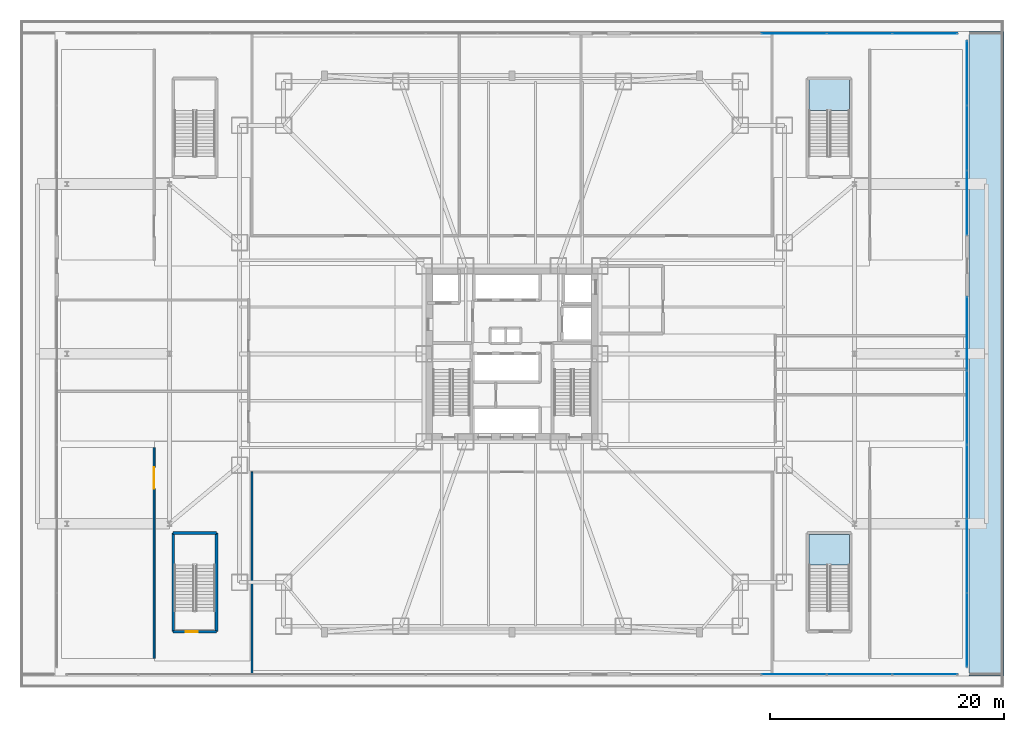
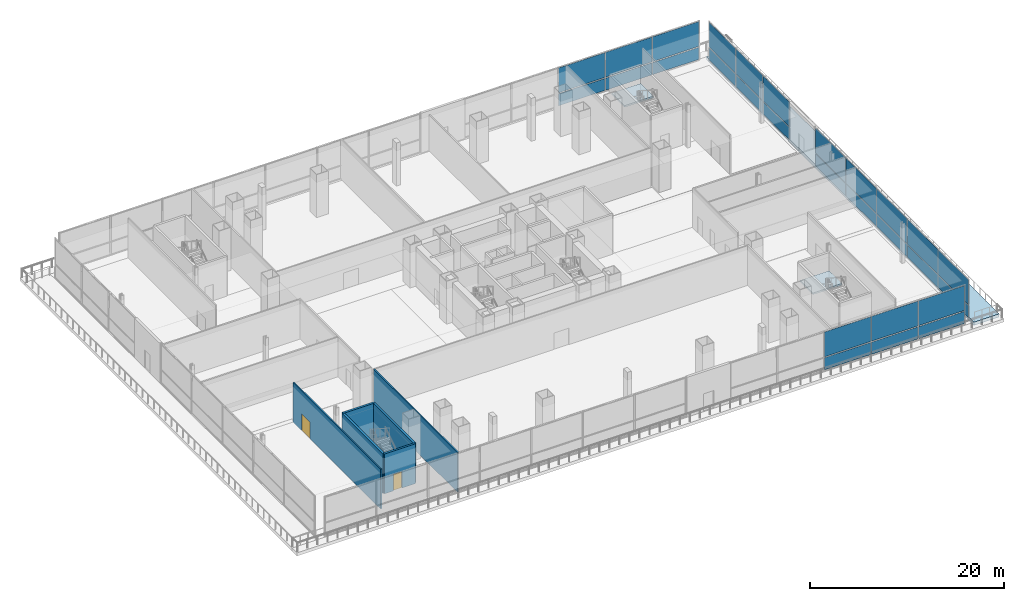
# One storey, part 20 of 36: 28 plates, 6 walls, 3 slabs, 2 doors, 2 openings, 6 elements without a shape of their own.
"""IFC4 building model written with IfcOpenShell, lengths in metres."""

from ifc_helpers import new_model, si_unit, direction, frame, frame_2d, origin, origin_2d, place, context, subcontext, project, spatial, polyline, rectangle, outline, extrude, material, layer, layer_set, type_object, element, fill, aggregate, save


model = new_model("IFC4")

# Units and contexts
model_context = context("Model", 3, precision=1e-05, world=origin(), true_north=direction((0.0, 1.0)))
body_context = subcontext(model_context, "Body", "Model", "MODEL_VIEW")
ifc_project = project(units=[si_unit("LENGTHUNIT", "METRE"), si_unit("AREAUNIT", "SQUARE_METRE"), si_unit("VOLUMEUNIT", "CUBIC_METRE"), si_unit("PLANEANGLEUNIT", "RADIAN"), si_unit("MASSUNIT", "GRAM", prefix="KILO")], contexts=[model_context])

# Site, building, storey
site_placement = place(None, origin())
site = spatial("IfcSite", under=ifc_project, at=site_placement, CompositionType="ELEMENT")
building_placement = place(site_placement, origin())
building = spatial("IfcBuilding", under=site, at=building_placement, Name="Trevonay Congress Spire", CompositionType="ELEMENT")
storey_placement = place(building_placement, frame((0.0, 0.0, 5.39990234375)))
storey = spatial("IfcBuildingStorey", under=building, at=storey_placement, Name="L01", CompositionType="ELEMENT", Elevation=5.39990234375)

# Curtain wall, plates
ifc_material_1 = material(Name="Pale Anodised Aluminium EN AW-6063-T6", Category="aluminium")
ifc_layer_1 = layer(ifc_material_1, 0.179931640625, Name="Pale Anodised Aluminium EN AW-6063-T6")
ifc_layer_set_1 = layer_set([ifc_layer_1], Name="Pale Anodised Aluminium EN AW-6063-T6")
curtain_wall_type = type_object("IfcCurtainWallType", Name="CW-SYS01-PODIUM-PALE-METAL", PredefinedType="NOTDEFINED", material=ifc_layer_set_1)
curtain_wall_1_placement = place(storey_placement, origin())
curtain_wall_1 = element("IfcCurtainWall", 1, at=curtain_wall_1_placement, inside=storey, type_object=curtain_wall_type, Name="L01 E1 podium curtain wall", PredefinedType="NOTDEFINED")
ifc_material_2 = material(Name="Insulated Low-E Vision Glass IGU", Category="glass")
ifc_layer_2 = layer(ifc_material_2, 0.035888671875, Name="Insulated Low-E Vision Glass IGU")
ifc_layer_set_2 = layer_set([ifc_layer_2], Name="Insulated Low-E Vision Glass IGU")
plate_type = type_object("IfcPlateType", Name="CW-PANEL-IGU36-SILVER", PredefinedType="CURTAIN_PANEL", material=ifc_layer_set_2)
plate_1_placement = place(storey_placement, frame((38.85009765625, -23.570068359375, 0.1201171875), z_axis=(0.0, 0.0, 1.0), x_axis=(0.0, 1.0, 0.0)))
plate_1 = element("IfcPlate", 2, at=plate_1_placement, type_object=plate_type, Name="CW01 panel 1.1", PredefinedType="CURTAIN_PANEL", context=body_context, shape_type="SweptSolid", body=[
    extrude(rectangle(XDim=6.239990234375, YDim=0.035888671875, at=origin_2d()), origin(), (0.0, 0.0, 1.0), 1.52001953125),
])
plate_2_placement = place(storey_placement, frame((38.85009765625, -23.570068359375, 1.760009765625), z_axis=(0.0, 0.0, 1.0), x_axis=(0.0, 1.0, 0.0)))
plate_2 = element("IfcPlate", 3, at=plate_2_placement, type_object=plate_type, Name="CW01 panel 1.2", PredefinedType="CURTAIN_PANEL", context=body_context, shape_type="SweptSolid", body=[
    extrude(rectangle(XDim=6.239990234375, YDim=0.035888671875, at=origin_2d()), origin(), (0.0, 0.0, 1.0), 3.1201171875),
])
plate_3_placement = place(storey_placement, frame((38.85009765625, -17.2548828125, 0.1201171875), z_axis=(0.0, 0.0, 1.0), x_axis=(0.0, 1.0, 0.0)))
plate_3 = element("IfcPlate", 4, at=plate_3_placement, type_object=plate_type, Name="CW01 panel 2.1", PredefinedType="CURTAIN_PANEL", context=body_context, shape_type="SweptSolid", body=[
    extrude(rectangle(XDim=6.27001953125, YDim=0.035888671875, at=origin_2d()), origin(), (0.0, 0.0, 1.0), 1.52001953125),
])
plate_4_placement = place(storey_placement, frame((38.85009765625, -17.2548828125, 1.760009765625), z_axis=(0.0, 0.0, 1.0), x_axis=(0.0, 1.0, 0.0)))
plate_4 = element("IfcPlate", 5, at=plate_4_placement, type_object=plate_type, Name="CW01 panel 2.2", PredefinedType="CURTAIN_PANEL", context=body_context, shape_type="SweptSolid", body=[
    extrude(rectangle(XDim=6.27001953125, YDim=0.035888671875, at=origin_2d()), origin(), (0.0, 0.0, 1.0), 3.1201171875),
])
plate_5_placement = place(storey_placement, frame((38.85009765625, -10.925048828125, 0.1201171875), z_axis=(0.0, 0.0, 1.0), x_axis=(0.0, 1.0, 0.0)))
plate_5 = element("IfcPlate", 6, at=plate_5_placement, type_object=plate_type, Name="CW01 panel 3.1", PredefinedType="CURTAIN_PANEL", context=body_context, shape_type="SweptSolid", body=[
    extrude(rectangle(XDim=6.27001953125, YDim=0.035888671875, at=origin_2d()), origin(), (0.0, 0.0, 1.0), 1.52001953125),
])
plate_6_placement = place(storey_placement, frame((38.85009765625, -10.925048828125, 1.760009765625), z_axis=(0.0, 0.0, 1.0), x_axis=(0.0, 1.0, 0.0)))
plate_6 = element("IfcPlate", 7, at=plate_6_placement, type_object=plate_type, Name="CW01 panel 3.2", PredefinedType="CURTAIN_PANEL", context=body_context, shape_type="SweptSolid", body=[
    extrude(rectangle(XDim=6.27001953125, YDim=0.035888671875, at=origin_2d()), origin(), (0.0, 0.0, 1.0), 3.1201171875),
])
plate_7_placement = place(storey_placement, frame((38.85009765625, -4.594970703125, 0.1201171875), z_axis=(0.0, 0.0, 1.0), x_axis=(0.0, 1.0, 0.0)))
plate_7 = element("IfcPlate", 8, at=plate_7_placement, type_object=plate_type, Name="CW01 panel 4.1", PredefinedType="CURTAIN_PANEL", context=body_context, shape_type="SweptSolid", body=[
    extrude(rectangle(XDim=6.27001953125, YDim=0.035888671875, at=origin_2d()), origin(), (0.0, 0.0, 1.0), 1.52001953125),
])
plate_8_placement = place(storey_placement, frame((38.85009765625, -4.594970703125, 1.760009765625), z_axis=(0.0, 0.0, 1.0), x_axis=(0.0, 1.0, 0.0)))
plate_8 = element("IfcPlate", 9, at=plate_8_placement, type_object=plate_type, Name="CW01 panel 4.2", PredefinedType="CURTAIN_PANEL", context=body_context, shape_type="SweptSolid", body=[
    extrude(rectangle(XDim=6.27001953125, YDim=0.035888671875, at=origin_2d()), origin(), (0.0, 0.0, 1.0), 3.1201171875),
])
plate_9_placement = place(storey_placement, frame((38.85009765625, 1.719970703125, 0.1201171875), z_axis=(0.0, 0.0, 1.0), x_axis=(0.0, 1.0, 0.0)))
plate_9 = element("IfcPlate", 10, at=plate_9_placement, type_object=plate_type, Name="CW01 panel 5.1", PredefinedType="CURTAIN_PANEL", context=body_context, shape_type="SweptSolid", body=[
    extrude(rectangle(XDim=6.239990234375, YDim=0.035888671875, at=origin_2d()), origin(), (0.0, 0.0, 1.0), 1.52001953125),
])
plate_10_placement = place(storey_placement, frame((38.85009765625, 1.719970703125, 1.760009765625), z_axis=(0.0, 0.0, 1.0), x_axis=(0.0, 1.0, 0.0)))
plate_10 = element("IfcPlate", 11, at=plate_10_placement, type_object=plate_type, Name="CW01 panel 5.2", PredefinedType="CURTAIN_PANEL", context=body_context, shape_type="SweptSolid", body=[
    extrude(rectangle(XDim=6.239990234375, YDim=0.035888671875, at=origin_2d()), origin(), (0.0, 0.0, 1.0), 3.1201171875),
])
aggregate(curtain_wall_1, [plate_1, plate_2, plate_3, plate_4, plate_5, plate_6, plate_7, plate_8, plate_9, plate_10])

curtain_wall_2_placement = place(storey_placement, origin())
curtain_wall_2 = element("IfcCurtainWall", 12, at=curtain_wall_2_placement, inside=storey, type_object=curtain_wall_type, Name="L01 E2 podium curtain wall", PredefinedType="NOTDEFINED")
plate_11_placement = place(storey_placement, frame((38.85009765625, 12.889892578125, 0.1201171875), z_axis=(0.0, 0.0, 1.0), x_axis=(0.0, 1.0, 0.0)))
plate_11 = element("IfcPlate", 13, at=plate_11_placement, type_object=plate_type, Name="CW01 panel 1.1", PredefinedType="CURTAIN_PANEL", context=body_context, shape_type="SweptSolid", body=[
    extrude(rectangle(XDim=5.4599609375, YDim=0.035888671875, at=origin_2d()), origin(), (0.0, 0.0, 1.0), 1.52001953125),
])
plate_12_placement = place(storey_placement, frame((38.85009765625, 12.889892578125, 1.760009765625), z_axis=(0.0, 0.0, 1.0), x_axis=(0.0, 1.0, 0.0)))
plate_12 = element("IfcPlate", 14, at=plate_12_placement, type_object=plate_type, Name="CW01 panel 1.2", PredefinedType="CURTAIN_PANEL", context=body_context, shape_type="SweptSolid", body=[
    extrude(rectangle(XDim=5.4599609375, YDim=0.035888671875, at=origin_2d()), origin(), (0.0, 0.0, 1.0), 3.1201171875),
])
plate_13_placement = place(storey_placement, frame((38.85009765625, 18.425048828125, 0.1201171875), z_axis=(0.0, 0.0, 1.0), x_axis=(0.0, 1.0, 0.0)))
plate_13 = element("IfcPlate", 15, at=plate_13_placement, type_object=plate_type, Name="CW01 panel 2.1", PredefinedType="CURTAIN_PANEL", context=body_context, shape_type="SweptSolid", body=[
    extrude(rectangle(XDim=5.489990234375, YDim=0.035888671875, at=origin_2d()), origin(), (0.0, 0.0, 1.0), 1.52001953125),
])
plate_14_placement = place(storey_placement, frame((38.85009765625, 18.425048828125, 1.760009765625), z_axis=(0.0, 0.0, 1.0), x_axis=(0.0, 1.0, 0.0)))
plate_14 = element("IfcPlate", 16, at=plate_14_placement, type_object=plate_type, Name="CW01 panel 2.2", PredefinedType="CURTAIN_PANEL", context=body_context, shape_type="SweptSolid", body=[
    extrude(rectangle(XDim=5.489990234375, YDim=0.035888671875, at=origin_2d()), origin(), (0.0, 0.0, 1.0), 3.1201171875),
])
plate_15_placement = place(storey_placement, frame((38.85009765625, 23.9599609375, 0.1201171875), z_axis=(0.0, 0.0, 1.0), x_axis=(0.0, 1.0, 0.0)))
plate_15 = element("IfcPlate", 17, at=plate_15_placement, type_object=plate_type, Name="CW01 panel 3.1", PredefinedType="CURTAIN_PANEL", context=body_context, shape_type="SweptSolid", body=[
    extrude(rectangle(XDim=5.4599609375, YDim=0.035888671875, at=origin_2d()), origin(), (0.0, 0.0, 1.0), 1.52001953125),
])
plate_16_placement = place(storey_placement, frame((38.85009765625, 23.9599609375, 1.760009765625), z_axis=(0.0, 0.0, 1.0), x_axis=(0.0, 1.0, 0.0)))
plate_16 = element("IfcPlate", 18, at=plate_16_placement, type_object=plate_type, Name="CW01 panel 3.2", PredefinedType="CURTAIN_PANEL", context=body_context, shape_type="SweptSolid", body=[
    extrude(rectangle(XDim=5.4599609375, YDim=0.035888671875, at=origin_2d()), origin(), (0.0, 0.0, 1.0), 3.1201171875),
])
aggregate(curtain_wall_2, [plate_11, plate_12, plate_13, plate_14, plate_15, plate_16])

curtain_wall_3_placement = place(storey_placement, origin())
curtain_wall_3 = element("IfcCurtainWall", 19, at=curtain_wall_3_placement, inside=storey, type_object=curtain_wall_type, Name="L01 S2 podium curtain wall", PredefinedType="NOTDEFINED")
plate_17_placement = place(storey_placement, frame((24.074951171875, -27.35009765625, 0.1201171875), z_axis=(0.0, 0.0, 1.0), x_axis=(1.0, 0.0, 0.0)))
plate_17 = element("IfcPlate", 20, at=plate_17_placement, type_object=plate_type, Name="CW01 panel 3.1", PredefinedType="CURTAIN_PANEL", context=body_context, shape_type="SweptSolid", body=[
    extrude(rectangle(XDim=5.530029296875, YDim=0.035888671875, at=origin_2d()), origin(), (0.0, 0.0, 1.0), 1.52001953125),
])
plate_18_placement = place(storey_placement, frame((24.074951171875, -27.35009765625, 1.760009765625), z_axis=(0.0, 0.0, 1.0), x_axis=(1.0, 0.0, 0.0)))
plate_18 = element("IfcPlate", 21, at=plate_18_placement, type_object=plate_type, Name="CW01 panel 3.2", PredefinedType="CURTAIN_PANEL", context=body_context, shape_type="SweptSolid", body=[
    extrude(rectangle(XDim=5.530029296875, YDim=0.035888671875, at=origin_2d()), origin(), (0.0, 0.0, 1.0), 3.1201171875),
])
plate_19_placement = place(storey_placement, frame((29.6650390625, -27.35009765625, 0.1201171875), z_axis=(0.0, 0.0, 1.0), x_axis=(1.0, 0.0, 0.0)))
plate_19 = element("IfcPlate", 22, at=plate_19_placement, type_object=plate_type, Name="CW01 panel 4.1", PredefinedType="CURTAIN_PANEL", context=body_context, shape_type="SweptSolid", body=[
    extrude(rectangle(XDim=5.530029296875, YDim=0.035888671875, at=origin_2d()), origin(), (0.0, 0.0, 1.0), 1.52001953125),
])
plate_20_placement = place(storey_placement, frame((29.6650390625, -27.35009765625, 1.760009765625), z_axis=(0.0, 0.0, 1.0), x_axis=(1.0, 0.0, 0.0)))
plate_20 = element("IfcPlate", 23, at=plate_20_placement, type_object=plate_type, Name="CW01 panel 4.2", PredefinedType="CURTAIN_PANEL", context=body_context, shape_type="SweptSolid", body=[
    extrude(rectangle(XDim=5.530029296875, YDim=0.035888671875, at=origin_2d()), origin(), (0.0, 0.0, 1.0), 3.1201171875),
])
plate_21_placement = place(storey_placement, frame((35.239990234375, -27.35009765625, 0.1201171875), z_axis=(0.0, 0.0, 1.0), x_axis=(1.0, 0.0, 0.0)))
plate_21 = element("IfcPlate", 24, at=plate_21_placement, type_object=plate_type, Name="CW01 panel 5.1", PredefinedType="CURTAIN_PANEL", context=body_context, shape_type="SweptSolid", body=[
    extrude(rectangle(XDim=5.5, YDim=0.035888671875, at=origin_2d()), origin(), (0.0, 0.0, 1.0), 1.52001953125),
])
plate_22_placement = place(storey_placement, frame((35.239990234375, -27.35009765625, 1.760009765625), z_axis=(0.0, 0.0, 1.0), x_axis=(1.0, 0.0, 0.0)))
plate_22 = element("IfcPlate", 25, at=plate_22_placement, type_object=plate_type, Name="CW01 panel 5.2", PredefinedType="CURTAIN_PANEL", context=body_context, shape_type="SweptSolid", body=[
    extrude(rectangle(XDim=5.5, YDim=0.035888671875, at=origin_2d()), origin(), (0.0, 0.0, 1.0), 3.1201171875),
])
aggregate(curtain_wall_3, [plate_17, plate_18, plate_19, plate_20, plate_21, plate_22])

curtain_wall_4_placement = place(storey_placement, origin())
curtain_wall_4 = element("IfcCurtainWall", 26, at=curtain_wall_4_placement, inside=storey, type_object=curtain_wall_type, Name="L01 N2 podium curtain wall", PredefinedType="NOTDEFINED")
plate_23_placement = place(storey_placement, frame((24.074951171875, 27.35009765625, 0.1201171875), z_axis=(0.0, 0.0, 1.0), x_axis=(1.0, 0.0, 0.0)))
plate_23 = element("IfcPlate", 27, at=plate_23_placement, type_object=plate_type, Name="CW01 panel 3.1", PredefinedType="CURTAIN_PANEL", context=body_context, shape_type="SweptSolid", body=[
    extrude(rectangle(XDim=5.530029296875, YDim=0.035888671875, at=origin_2d()), origin(), (0.0, 0.0, 1.0), 1.52001953125),
])
plate_24_placement = place(storey_placement, frame((24.074951171875, 27.35009765625, 1.760009765625), z_axis=(0.0, 0.0, 1.0), x_axis=(1.0, 0.0, 0.0)))
plate_24 = element("IfcPlate", 28, at=plate_24_placement, type_object=plate_type, Name="CW01 panel 3.2", PredefinedType="CURTAIN_PANEL", context=body_context, shape_type="SweptSolid", body=[
    extrude(rectangle(XDim=5.530029296875, YDim=0.035888671875, at=origin_2d()), origin(), (0.0, 0.0, 1.0), 3.1201171875),
])
plate_25_placement = place(storey_placement, frame((29.6650390625, 27.35009765625, 0.1201171875), z_axis=(0.0, 0.0, 1.0), x_axis=(1.0, 0.0, 0.0)))
plate_25 = element("IfcPlate", 29, at=plate_25_placement, type_object=plate_type, Name="CW01 panel 4.1", PredefinedType="CURTAIN_PANEL", context=body_context, shape_type="SweptSolid", body=[
    extrude(rectangle(XDim=5.530029296875, YDim=0.035888671875, at=origin_2d()), origin(), (0.0, 0.0, 1.0), 1.52001953125),
])
plate_26_placement = place(storey_placement, frame((29.6650390625, 27.35009765625, 1.760009765625), z_axis=(0.0, 0.0, 1.0), x_axis=(1.0, 0.0, 0.0)))
plate_26 = element("IfcPlate", 30, at=plate_26_placement, type_object=plate_type, Name="CW01 panel 4.2", PredefinedType="CURTAIN_PANEL", context=body_context, shape_type="SweptSolid", body=[
    extrude(rectangle(XDim=5.530029296875, YDim=0.035888671875, at=origin_2d()), origin(), (0.0, 0.0, 1.0), 3.1201171875),
])
plate_27_placement = place(storey_placement, frame((35.239990234375, 27.35009765625, 0.1201171875), z_axis=(0.0, 0.0, 1.0), x_axis=(1.0, 0.0, 0.0)))
plate_27 = element("IfcPlate", 31, at=plate_27_placement, type_object=plate_type, Name="CW01 panel 5.1", PredefinedType="CURTAIN_PANEL", context=body_context, shape_type="SweptSolid", body=[
    extrude(rectangle(XDim=5.5, YDim=0.035888671875, at=origin_2d()), origin(), (0.0, 0.0, 1.0), 1.52001953125),
])
plate_28_placement = place(storey_placement, frame((35.239990234375, 27.35009765625, 1.760009765625), z_axis=(0.0, 0.0, 1.0), x_axis=(1.0, 0.0, 0.0)))
plate_28 = element("IfcPlate", 32, at=plate_28_placement, type_object=plate_type, Name="CW01 panel 5.2", PredefinedType="CURTAIN_PANEL", context=body_context, shape_type="SweptSolid", body=[
    extrude(rectangle(XDim=5.5, YDim=0.035888671875, at=origin_2d()), origin(), (0.0, 0.0, 1.0), 3.1201171875),
])
aggregate(curtain_wall_4, [plate_23, plate_24, plate_25, plate_26, plate_27, plate_28])

# Stair, slab
ifc_material_3 = material(Name="Concrete C40/50", Category="concrete")
stair_type_1 = type_object("IfcStairType", Name="STR-ST-4", PredefinedType="HALF_TURN_STAIR", material=ifc_material_3)
stair_1_placement = place(storey_placement, origin())
stair_1 = element("IfcStair", 33, at=stair_1_placement, inside=storey, type_object=stair_type_1, Name="L01 Protected Exit Stair ST-4", PredefinedType="HALF_TURN_STAIR")
ifc_layer_3 = layer(ifc_material_3, 0.199951171875, Name="Concrete C40/50")
ifc_layer_set_3 = layer_set([ifc_layer_3], Name="Concrete C40/50")
slab_type_1 = type_object("IfcSlabType", Name="SLB-STAIR-LAND-200", PredefinedType="LANDING", material=ifc_layer_set_3)
slab_1_placement = place(storey_placement, frame((0.0, 0.0, 2.5)))
slab_1 = element("IfcSlab", 34, at=slab_1_placement, type_object=slab_type_1, Name="ST-4 landing 1", PredefinedType="LANDING", context=body_context, shape_type="SweptSolid", body=[
    extrude(outline(polyline([(28.800048828125, -18.030029296875), (28.800048828125, -15.39990234375), (25.35009765625, -15.39990234375), (25.35009765625, -18.030029296875), (28.800048828125, -18.030029296875)])), origin(), (0.0, 0.0, 1.0), 0.2001953125),
])
aggregate(stair_1, [slab_1])

stair_type_2 = type_object("IfcStairType", Name="STR-ST-6", PredefinedType="HALF_TURN_STAIR", material=ifc_material_3)
stair_2_placement = place(storey_placement, origin())
stair_2 = element("IfcStair", 35, at=stair_2_placement, inside=storey, type_object=stair_type_2, Name="L01 Protected Exit Stair ST-6", PredefinedType="HALF_TURN_STAIR")
slab_2_placement = place(storey_placement, frame((0.0, 0.0, 2.5)))
slab_2 = element("IfcSlab", 36, at=slab_2_placement, type_object=slab_type_1, Name="ST-6 landing 1", PredefinedType="LANDING", context=body_context, shape_type="SweptSolid", body=[
    extrude(outline(polyline([(28.800048828125, 20.77001953125), (28.800048828125, 23.39990234375), (25.35009765625, 23.39990234375), (25.35009765625, 20.77001953125), (28.800048828125, 20.77001953125)])), origin(), (0.0, 0.0, 1.0), 0.2001953125),
])
aggregate(stair_2, [slab_2])

# Slab
ifc_layer_4 = layer(ifc_material_3, 0.39990234375, Name="Concrete C40/50")
ifc_layer_set_4 = layer_set([ifc_layer_4], Name="Concrete C40/50")
slab_type_2 = type_object("IfcSlabType", Name="SLB-TERR-260", PredefinedType="ROOF", material=ifc_layer_set_4)
slab_3_placement = place(storey_placement, frame((0.0, 0.0, -0.39990234375)))
element("IfcSlab", 37, at=slab_3_placement, inside=storey, type_object=slab_type_2, Name="L01 East stepped podium roof terrace", PredefinedType="ROOF", context=body_context, shape_type="SweptSolid", body=[
    extrude(outline(polyline([(39.0, -27.5), (42.0, -27.5), (42.0, 27.5), (39.0, 27.5), (39.0, -27.5)])), origin(), (0.0, 0.0, 1.0), 0.39990234375),
])

# Wall, opening, door
ifc_layer_5 = layer(ifc_material_3, 0.14990234375, Name="Concrete C40/50")
ifc_layer_set_5 = layer_set([ifc_layer_5], Name="Concrete C40/50")
wall_type_1 = type_object("IfcWallType", Name="WAL-CORR-150", PredefinedType="PARTITIONING", material=ifc_layer_set_5)
wall_1_placement = place(storey_placement, frame((-30.550048828125, -26.0, 0.0), z_axis=(0.0, 0.0, 1.0), x_axis=(0.0, 1.0, 0.0)))
wall_1 = element("IfcWall", 38, at=wall_1_placement, inside=storey, type_object=wall_type_1, Name="L01 interior wall WL01-XSW", PredefinedType="PARTITIONING", context=body_context, shape_type="SweptSolid", body=[
    extrude(rectangle(XDim=18.0, YDim=0.14990234375, at=frame_2d((9.0, 0.0))), origin(), (0.0, 0.0, 1.0), 5.0),
])
opening_1_placement = place(wall_1_placement, frame((14.5, 0.0, 0.0)))
opening_1 = element("IfcOpeningElement", 39, at=opening_1_placement, cuts=wall_1, Name="Opening D09", PredefinedType="OPENING", context=body_context, shape_type="SweptSolid", body=[
    extrude(rectangle(XDim=1.800048828125, YDim=2.080078125, at=frame_2d((0.89990234375, 1.0400390625))), frame((0.0, 0.0849609375, 0.0), z_axis=(0.0, -1.0, 0.0), x_axis=(1.0, 0.0, 0.0)), (0.0, 0.0, 1.0), 0.169921875),
])
door_type_1 = type_object("IfcDoorType", Name="DOR-CONF-DBL", OperationType="DOUBLE_DOOR_SINGLE_SWING", PredefinedType="DOOR", material=ifc_material_1)
door_1_placement = place(opening_1_placement, origin())
door_1 = element("IfcDoor", 40, at=door_1_placement, inside=storey, type_object=door_type_1, Name="L01 L01 South-West Exhibition Salon Door", OperationType="DOUBLE_DOOR_SINGLE_SWING", OverallHeight=2.080078125, OverallWidth=1.800048828125, PredefinedType="DOOR", context=body_context, shape_type="SweptSolid", body=[
    extrude(rectangle(XDim=1.800048828125, YDim=2.080078125, at=frame_2d((0.89990234375, 1.0400390625))), frame((0.0, 0.02490234375, 0.0), z_axis=(0.0, -1.0, 0.0), x_axis=(1.0, 0.0, 0.0)), (0.0, 0.0, 1.0), 0.050048828125),
])
fill(opening_1, door_1)

# Wall
ifc_layer_6 = layer(ifc_material_3, 0.14990234375, Name="Concrete C40/50")
ifc_layer_set_6 = layer_set([ifc_layer_6], Name="Concrete C40/50")
wall_type_2 = type_object("IfcWallType", Name="WAL-PART-150", PredefinedType="PARTITIONING", material=ifc_layer_set_6)
wall_2_placement = place(storey_placement, frame((-22.199951171875, -27.35009765625, 0.0), z_axis=(0.0, 0.0, 1.0), x_axis=(0.0, 1.0, 0.0)))
element("IfcWall", 41, at=wall_2_placement, inside=storey, type_object=wall_type_2, Name="L01 interior wall WP-L01S-DIV1", PredefinedType="PARTITIONING", context=body_context, shape_type="SweptSolid", body=[
    extrude(rectangle(XDim=17.27001953125, YDim=0.14990234375, at=frame_2d((8.635009765625, 0.0))), origin(), (0.0, 0.0, 1.0), 5.0),
])

# Wall, opening, door
ifc_layer_7 = layer(ifc_material_3, 0.25, Name="Concrete C40/50")
ifc_layer_set_7 = layer_set([ifc_layer_7], Name="Concrete C40/50")
wall_type_3 = type_object("IfcWallType", Name="WAL-SHAFT-LB-250", PredefinedType="SHEAR", material=ifc_layer_set_7)
wall_3_placement = place(storey_placement, frame((-28.919921875, -23.719970703125, 0.0), z_axis=(0.0, 0.0, 1.0), x_axis=(1.0, 0.0, 0.0)))
wall_3 = element("IfcWall", 42, at=wall_3_placement, inside=storey, type_object=wall_type_3, Name="L01 interior shaft wall WSH-L01-ST-3-S", PredefinedType="SHEAR", context=body_context, shape_type="SweptSolid", body=[
    extrude(rectangle(XDim=3.68994140625, YDim=0.25, at=frame_2d((1.844970703125, 0.0))), origin(), (0.0, 0.0, 1.0), 5.0),
])
opening_2_placement = place(wall_3_placement, frame((1.050048828125, 0.0, 0.0)))
opening_2 = element("IfcOpeningElement", 43, at=opening_2_placement, cuts=wall_3, Name="Opening D05", PredefinedType="OPENING", context=body_context, shape_type="SweptSolid", body=[
    extrude(rectangle(XDim=1.050048828125, YDim=2.080078125, at=frame_2d((0.52490234375, 1.0400390625))), frame((0.0, 0.135009765625, 0.0), z_axis=(0.0, -1.0, 0.0), x_axis=(1.0, 0.0, 0.0)), (0.0, 0.0, 1.0), 0.27001953125),
])
ifc_material_4 = material(Name="Steel ASTM A572 Grade 50", Category="steel")
door_type_2 = type_object("IfcDoorType", Name="DOR-STAIR-110", OperationType="NOTDEFINED", PredefinedType="DOOR", material=ifc_material_4)
door_2_placement = place(opening_2_placement, origin())
door_2 = element("IfcDoor", 44, at=door_2_placement, inside=storey, type_object=door_type_2, Name="L01 Escape Stair ST-3 Door", OperationType="SINGLE_SWING_LEFT", OverallHeight=2.080078125, OverallWidth=1.050048828125, PredefinedType="DOOR", context=body_context, shape_type="SweptSolid", body=[
    extrude(rectangle(XDim=1.050048828125, YDim=2.080078125, at=frame_2d((0.52490234375, 1.0400390625))), frame((0.0, 0.02490234375, 0.0), z_axis=(0.0, -1.0, 0.0), x_axis=(1.0, 0.0, 0.0)), (0.0, 0.0, 1.0), 0.050048828125),
])
fill(opening_2, door_2)

# Walls
wall_4_placement = place(storey_placement, frame((-28.919921875, -15.280029296875, 0.0), z_axis=(0.0, 0.0, 1.0), x_axis=(1.0, 0.0, 0.0)))
element("IfcWall", 45, at=wall_4_placement, inside=storey, type_object=wall_type_3, Name="L01 interior shaft wall WSH-L01-ST-3-N", PredefinedType="SHEAR", context=body_context, shape_type="SweptSolid", body=[
    extrude(rectangle(XDim=3.68994140625, YDim=0.25, at=frame_2d((1.844970703125, 0.0))), origin(), (0.0, 0.0, 1.0), 5.0),
])
for number, where, z_axis, x_axis, name in (
    (46, (-28.919921875, -23.719970703125, 0.0), (0.0, 0.0, 1.0), (0.0, 1.0, 0.0), "L01 interior shaft wall WSH-L01-ST-3-W"),
    (47, (-25.22998046875, -23.719970703125, 0.0), (0.0, 0.0, 1.0), (0.0, 1.0, 0.0), "L01 interior shaft wall WSH-L01-ST-3-E"),
):
    element("IfcWall", number, at=place(storey_placement, frame(where, z_axis=z_axis, x_axis=x_axis)), inside=storey, type_object=wall_type_3, Name=name, PredefinedType="SHEAR", context=body_context, shape_type="SweptSolid", body=[
        extrude(rectangle(XDim=8.43994140625, YDim=0.25, at=frame_2d((4.219970703125, 0.0))), origin(), (0.0, 0.0, 1.0), 5.0),
    ])

save(model, "model.ifc")
